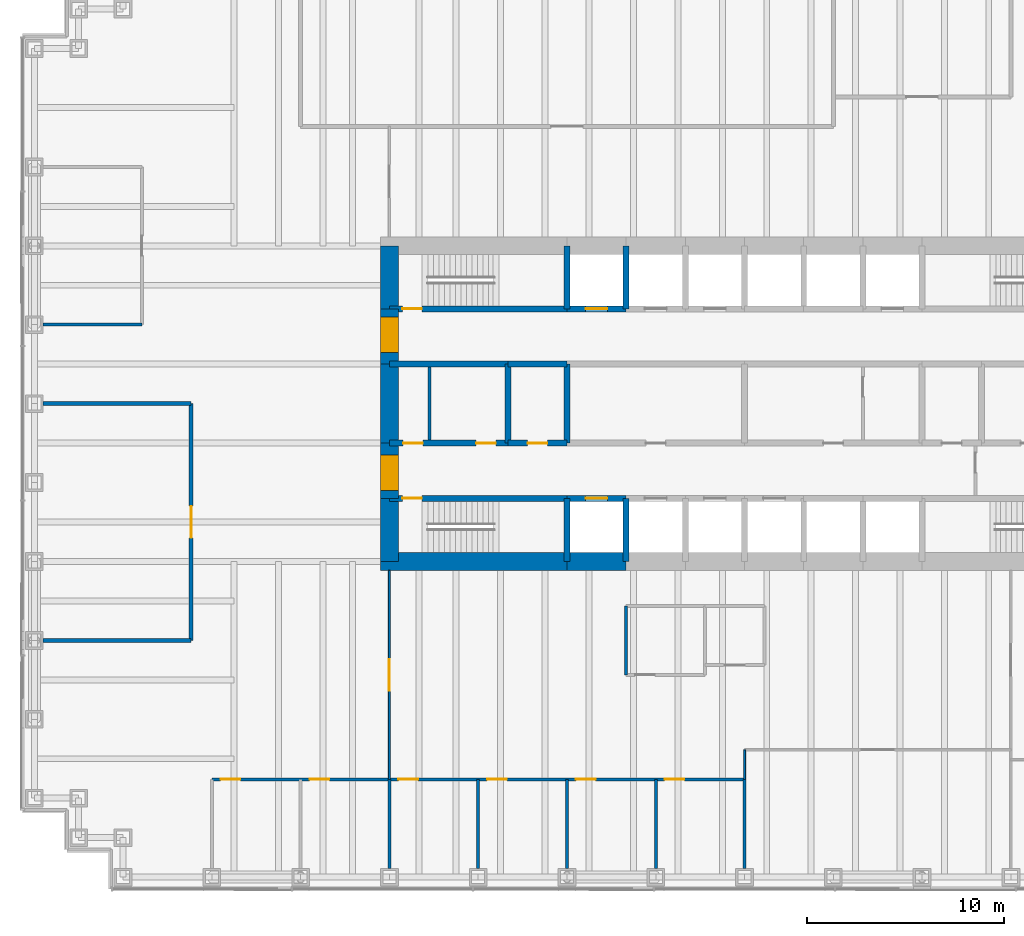
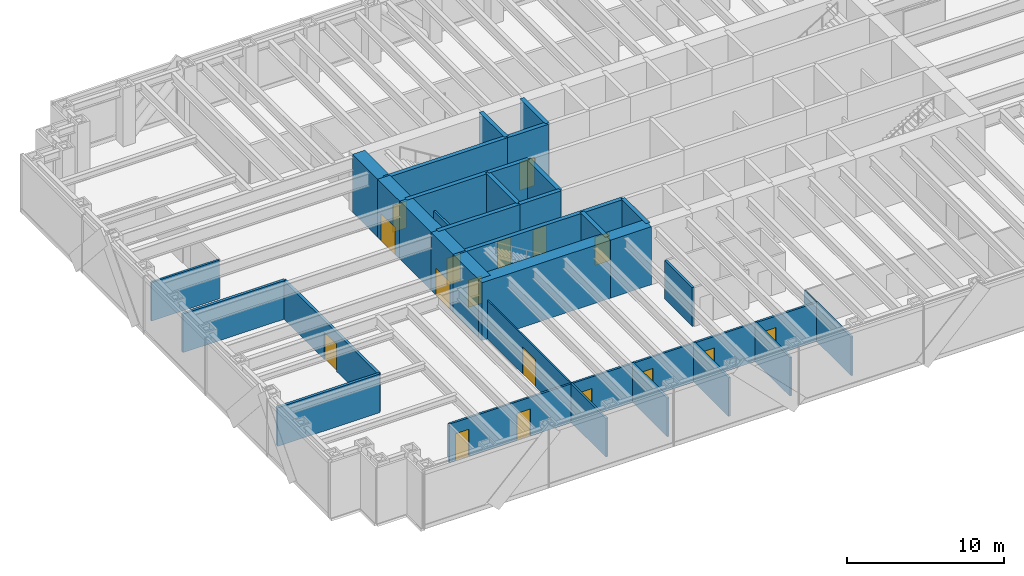
# One storey, part 9 of 13: 35 walls, 17 doors, 17 openings.
"""IFC4 building model written with IfcOpenShell, lengths in metres."""

from ifc_helpers import new_model, si_unit, direction, frame, frame_2d, origin, place, context, subcontext, project, spatial, rectangle, extrude, material, layer, layer_set, type_object, element, fill, save


model = new_model("IFC4")

# Units and contexts
model_context = context("Model", 3, precision=1e-05, world=origin(), true_north=direction((0.0, 1.0)))
body_context = subcontext(model_context, "Body", "Model", "MODEL_VIEW")
ifc_project = project(units=[si_unit("LENGTHUNIT", "METRE"), si_unit("AREAUNIT", "SQUARE_METRE"), si_unit("VOLUMEUNIT", "CUBIC_METRE"), si_unit("PLANEANGLEUNIT", "RADIAN"), si_unit("MASSUNIT", "GRAM", prefix="KILO")], contexts=[model_context])

# Site, building, storey
site_placement = place(None, origin())
site = spatial("IfcSite", under=ifc_project, at=site_placement, CompositionType="ELEMENT")
building_placement = place(site_placement, origin())
building = spatial("IfcBuilding", under=site, at=building_placement, Name="Rheinbord Bourse Tower", CompositionType="ELEMENT")
storey_placement = place(building_placement, frame((0.0, 0.0, 68.0)))
storey = spatial("IfcBuildingStorey", under=building, at=storey_placement, Name="L14", CompositionType="ELEMENT", Elevation=68.0)

# Walls
ifc_material_1 = material(Name="Acoustic gypsum board partition", Category="gypsum board")
ifc_layer_1 = layer(ifc_material_1, 0.199951171875)
ifc_layer_set_1 = layer_set([ifc_layer_1], Name="ACOUSTIC PARTITION 200")
wall_type_1 = type_object("IfcWallType", Name="ACOUSTIC PARTITION 200", PredefinedType="PARTITIONING", material=ifc_layer_set_1)
for number, where, z_axis, x_axis, name in (
    (1, (0.449951171875, 12.0, 0.0), (0.0, 0.0, 1.0), (1.0, 0.0, 0.0), "Partition L14-07"),
    (2, (0.449951171875, 24.0, 0.0), (0.0, 0.0, 1.0), (1.0, 0.0, 0.0), "Partition L14-12"),
):
    element("IfcWall", number, at=place(storey_placement, frame(where, z_axis=z_axis, x_axis=x_axis)), inside=storey, type_object=wall_type_1, Name=name, PredefinedType="PARTITIONING", context=body_context, shape_type="SweptSolid", body=[
        extrude(rectangle(XDim=7.5, YDim=0.199951171875, at=frame_2d((3.75, 0.0))), origin(), (0.0, 0.0, 1.0), 3.0),
    ])

# Wall, opening, door
wall_1_placement = place(storey_placement, frame((7.949951171875, 12.0, 0.0), z_axis=(0.0, 0.0, 1.0), x_axis=(0.0, 1.0, 0.0)))
wall_1 = element("IfcWall", 3, at=wall_1_placement, inside=storey, type_object=wall_type_1, Name="Partition L14-21", PredefinedType="PARTITIONING", context=body_context, shape_type="SweptSolid", body=[
    extrude(rectangle(XDim=12.0, YDim=0.199951171875, at=frame_2d((6.0, 0.0))), origin(), (0.0, 0.0, 1.0), 3.0),
])
opening_1_placement = place(wall_1_placement, frame((5.199951171875, 0.0, 0.0)))
opening_1 = element("IfcOpeningElement", 4, at=opening_1_placement, cuts=wall_1, Name="Opening 14D12", PredefinedType="OPENING", context=body_context, shape_type="SweptSolid", body=[
    extrude(rectangle(XDim=1.60009765625, YDim=2.10009765625, at=frame_2d((0.800048828125, 1.050048828125))), frame((0.0, 0.10986328125, 0.0), z_axis=(0.0, -1.0, 0.0), x_axis=(1.0, 0.0, 0.0)), (0.0, 0.0, 1.0), 0.219970703125),
])
ifc_material_2 = material(Name="Timber door", Category="wood")
door_type_1 = type_object("IfcDoorType", Name="DOUBLE ROOM DOOR 1600", OperationType="DOUBLE_DOOR_DOUBLE_SWING", PredefinedType="DOOR", material=ifc_material_2)
door_1_placement = place(opening_1_placement, origin())
door_1 = element("IfcDoor", 5, at=door_1_placement, inside=storey, type_object=door_type_1, Name="Settlement control room door L14", OperationType="SINGLE_SWING_LEFT", OverallHeight=2.10009765625, OverallWidth=1.60009765625, PredefinedType="DOOR", context=body_context, shape_type="SweptSolid", body=[
    extrude(rectangle(XDim=1.60009765625, YDim=2.10009765625, at=frame_2d((0.800048828125, 1.050048828125))), frame((0.0, 0.02490234375, 0.0), z_axis=(0.0, -1.0, 0.0), x_axis=(1.0, 0.0, 0.0)), (0.0, 0.0, 1.0), 0.050048828125),
])
fill(opening_1, door_1)

ifc_material_3 = material(Name="Concrete C50/60", Category="concrete")
ifc_layer_2 = layer(ifc_material_3, 0.300048828125)
ifc_layer_set_2 = layer_set([ifc_layer_2], Name="CORE INNER WALL 300")
wall_type_2 = type_object("IfcWallType", Name="CORE INNER WALL 300", PredefinedType="SOLIDWALL", material=ifc_layer_set_2)
wall_2_placement = place(storey_placement, frame((18.0, 19.199951171875, 0.0), z_axis=(0.0, 0.0, 1.0), x_axis=(1.0, 0.0, 0.0)))
wall_2 = element("IfcWall", 6, at=wall_2_placement, inside=storey, type_object=wall_type_2, Name="Core wall A1 L14", PredefinedType="SOLIDWALL", context=body_context, shape_type="SweptSolid", body=[
    extrude(rectangle(XDim=9.0, YDim=0.300048828125, at=frame_2d((4.5, 0.0))), origin(), (0.0, 0.0, 1.0), 4.5),
])
opening_2_placement = place(wall_2_placement, frame((0.64990234375, 0.0, 0.0)))
opening_2 = element("IfcOpeningElement", 7, at=opening_2_placement, cuts=wall_2, Name="Opening 1410", PredefinedType="OPENING", context=body_context, shape_type="SweptSolid", body=[
    extrude(rectangle(XDim=1.0, YDim=2.10009765625, at=frame_2d((0.5, 1.050048828125))), frame((0.0, 0.159912109375, 0.0), z_axis=(0.0, -1.0, 0.0), x_axis=(1.0, 0.0, 0.0)), (0.0, 0.0, 1.0), 0.320068359375),
])
ifc_material_4 = material(Name="Steel door", Category="steel")
door_type_2 = type_object("IfcDoorType", Name="DOOR 1000 EI30", OperationType="SINGLE_SWING_LEFT", PredefinedType="DOOR", material=ifc_material_4)
door_2_placement = place(opening_2_placement, origin())
door_2 = element("IfcDoor", 8, at=door_2_placement, inside=storey, type_object=door_type_2, Name="Stair door ST1 L14", OperationType="SINGLE_SWING_LEFT", OverallHeight=2.10009765625, OverallWidth=1.0, PredefinedType="DOOR", context=body_context, shape_type="SweptSolid", body=[
    extrude(rectangle(XDim=1.0, YDim=2.10009765625, at=frame_2d((0.5, 1.050048828125))), frame((0.0, 0.02490234375, 0.0), z_axis=(0.0, -1.0, 0.0), x_axis=(1.0, 0.0, 0.0)), (0.0, 0.0, 1.0), 0.050048828125),
])
fill(opening_2, door_2)

wall_3_placement = place(storey_placement, frame((27.0, 19.199951171875, 0.0), z_axis=(0.0, 0.0, 1.0), x_axis=(1.0, 0.0, 0.0)))
wall_3 = element("IfcWall", 9, at=wall_3_placement, inside=storey, type_object=wall_type_2, Name="Core wall A2 L14", PredefinedType="SOLIDWALL", context=body_context, shape_type="SweptSolid", body=[
    extrude(rectangle(XDim=3.0, YDim=0.300048828125, at=frame_2d((1.5, 0.0))), origin(), (0.0, 0.0, 1.0), 4.5),
])
opening_3_placement = place(wall_3_placement, frame((0.949951171875, 0.0, 0.0)))
opening_3 = element("IfcOpeningElement", 10, at=opening_3_placement, cuts=wall_3, Name="Opening FL1", PredefinedType="OPENING", context=body_context, shape_type="SweptSolid", body=[
    extrude(rectangle(XDim=1.10009765625, YDim=2.199951171875, at=frame_2d((0.550048828125, 1.10009765625))), frame((0.0, 0.159912109375, 0.0), z_axis=(0.0, -1.0, 0.0), x_axis=(1.0, 0.0, 0.0)), (0.0, 0.0, 1.0), 0.320068359375),
])
ifc_material_5 = material(Name="Steel landing door", Category="steel")
door_type_3 = type_object("IfcDoorType", Name="LIFT LANDING DOOR 1100", OperationType="DOUBLE_DOOR_SLIDING", PredefinedType="USERDEFINED", material=ifc_material_5)
door_3_placement = place(opening_3_placement, origin())
door_3 = element("IfcDoor", 11, at=door_3_placement, inside=storey, type_object=door_type_3, Name="Lift landing door FL1 L14", ObjectType="LIFT LANDING DOOR", OperationType="DOUBLE_DOOR_SLIDING", OverallHeight=2.199951171875, OverallWidth=1.10009765625, PredefinedType="USERDEFINED", context=body_context, shape_type="SweptSolid", body=[
    extrude(rectangle(XDim=1.10009765625, YDim=2.199951171875, at=frame_2d((0.550048828125, 1.10009765625))), frame((0.0, 0.02490234375, 0.0), z_axis=(0.0, -1.0, 0.0), x_axis=(1.0, 0.0, 0.0)), (0.0, 0.0, 1.0), 0.050048828125),
])
fill(opening_3, door_3)

wall_4_placement = place(storey_placement, frame((18.0, 28.800048828125, 0.0), z_axis=(0.0, 0.0, 1.0), x_axis=(1.0, 0.0, 0.0)))
wall_4 = element("IfcWall", 12, at=wall_4_placement, inside=storey, type_object=wall_type_2, Name="Core wall B1 L14", PredefinedType="SOLIDWALL", context=body_context, shape_type="SweptSolid", body=[
    extrude(rectangle(XDim=9.0, YDim=0.300048828125, at=frame_2d((4.5, 0.0))), origin(), (0.0, 0.0, 1.0), 4.5),
])
opening_4_placement = place(wall_4_placement, frame((0.64990234375, 0.0, 0.0)))
opening_4 = element("IfcOpeningElement", 13, at=opening_4_placement, cuts=wall_4, Name="Opening 1420", PredefinedType="OPENING", context=body_context, shape_type="SweptSolid", body=[
    extrude(rectangle(XDim=1.0, YDim=2.10009765625, at=frame_2d((0.5, 1.050048828125))), frame((0.0, 0.159912109375, 0.0), z_axis=(0.0, -1.0, 0.0), x_axis=(1.0, 0.0, 0.0)), (0.0, 0.0, 1.0), 0.320068359375),
])
door_4_placement = place(opening_4_placement, origin())
door_4 = element("IfcDoor", 14, at=door_4_placement, inside=storey, type_object=door_type_2, Name="Stair door ST2 L14", OperationType="SINGLE_SWING_LEFT", OverallHeight=2.10009765625, OverallWidth=1.0, PredefinedType="DOOR", context=body_context, shape_type="SweptSolid", body=[
    extrude(rectangle(XDim=1.0, YDim=2.10009765625, at=frame_2d((0.5, 1.050048828125))), frame((0.0, 0.02490234375, 0.0), z_axis=(0.0, -1.0, 0.0), x_axis=(1.0, 0.0, 0.0)), (0.0, 0.0, 1.0), 0.050048828125),
])
fill(opening_4, door_4)

wall_5_placement = place(storey_placement, frame((27.0, 28.800048828125, 0.0), z_axis=(0.0, 0.0, 1.0), x_axis=(1.0, 0.0, 0.0)))
wall_5 = element("IfcWall", 15, at=wall_5_placement, inside=storey, type_object=wall_type_2, Name="Core wall B2 L14", PredefinedType="SOLIDWALL", context=body_context, shape_type="SweptSolid", body=[
    extrude(rectangle(XDim=3.0, YDim=0.300048828125, at=frame_2d((1.5, 0.0))), origin(), (0.0, 0.0, 1.0), 4.5),
])
opening_5_placement = place(wall_5_placement, frame((0.949951171875, 0.0, 0.0)))
opening_5 = element("IfcOpeningElement", 16, at=opening_5_placement, cuts=wall_5, Name="Opening GL1", PredefinedType="OPENING", context=body_context, shape_type="SweptSolid", body=[
    extrude(rectangle(XDim=1.10009765625, YDim=2.199951171875, at=frame_2d((0.550048828125, 1.10009765625))), frame((0.0, 0.159912109375, 0.0), z_axis=(0.0, -1.0, 0.0), x_axis=(1.0, 0.0, 0.0)), (0.0, 0.0, 1.0), 0.320068359375),
])
door_5_placement = place(opening_5_placement, origin())
door_5 = element("IfcDoor", 17, at=door_5_placement, inside=storey, type_object=door_type_3, Name="Lift landing door GL1 L14", ObjectType="LIFT LANDING DOOR", OperationType="DOUBLE_DOOR_SLIDING", OverallHeight=2.199951171875, OverallWidth=1.10009765625, PredefinedType="USERDEFINED", context=body_context, shape_type="SweptSolid", body=[
    extrude(rectangle(XDim=1.10009765625, YDim=2.199951171875, at=frame_2d((0.550048828125, 1.10009765625))), frame((0.0, 0.02490234375, 0.0), z_axis=(0.0, -1.0, 0.0), x_axis=(1.0, 0.0, 0.0)), (0.0, 0.0, 1.0), 0.050048828125),
])
fill(opening_5, door_5)

# Wall, openings, doors
wall_6_placement = place(storey_placement, frame((18.0, 22.0, 0.0), z_axis=(0.0, 0.0, 1.0), x_axis=(1.0, 0.0, 0.0)))
wall_6 = element("IfcWall", 18, at=wall_6_placement, inside=storey, type_object=wall_type_2, Name="Core wall C1 L14", PredefinedType="SOLIDWALL", context=body_context, shape_type="SweptSolid", body=[
    extrude(rectangle(XDim=6.0, YDim=0.300048828125, at=frame_2d((3.0, 0.0))), origin(), (0.0, 0.0, 1.0), 4.5),
])
opening_6_placement = place(wall_6_placement, frame((4.39990234375, 0.0, 0.0)))
opening_6 = element("IfcOpeningElement", 19, at=opening_6_placement, cuts=wall_6, Name="Opening 14R1", PredefinedType="OPENING", context=body_context, shape_type="SweptSolid", body=[
    extrude(rectangle(XDim=1.0, YDim=2.10009765625, at=frame_2d((0.5, 1.050048828125))), frame((0.0, 0.159912109375, 0.0), z_axis=(0.0, -1.0, 0.0), x_axis=(1.0, 0.0, 0.0)), (0.0, 0.0, 1.0), 0.320068359375),
])
opening_7_placement = place(wall_6_placement, frame((0.699951171875, 0.0, 0.0)))
opening_7 = element("IfcOpeningElement", 20, at=opening_7_placement, cuts=wall_6, Name="Opening 14R9", PredefinedType="OPENING", context=body_context, shape_type="SweptSolid", body=[
    extrude(rectangle(XDim=1.0, YDim=2.10009765625, at=frame_2d((0.5, 1.050048828125))), frame((0.0, 0.159912109375, 0.0), z_axis=(0.0, -1.0, 0.0), x_axis=(1.0, 0.0, 0.0)), (0.0, 0.0, 1.0), 0.320068359375),
])
door_6_placement = place(opening_7_placement, origin())
door_6 = element("IfcDoor", 21, at=door_6_placement, inside=storey, type_object=door_type_2, Name="Staff shower door L14", OperationType="SINGLE_SWING_LEFT", OverallHeight=2.10009765625, OverallWidth=1.0, PredefinedType="DOOR", context=body_context, shape_type="SweptSolid", body=[
    extrude(rectangle(XDim=1.0, YDim=2.10009765625, at=frame_2d((0.5, 1.050048828125))), frame((0.0, 0.02490234375, 0.0), z_axis=(0.0, -1.0, 0.0), x_axis=(1.0, 0.0, 0.0)), (0.0, 0.0, 1.0), 0.050048828125),
])
fill(opening_7, door_6)
ifc_material_6 = material(Name="Timber door", Category="wood")
door_type_4 = type_object("IfcDoorType", Name="DOOR 1000 WC", OperationType="SINGLE_SWING_LEFT", PredefinedType="DOOR", material=ifc_material_6)
door_7_placement = place(opening_6_placement, origin())
door_7 = element("IfcDoor", 22, at=door_7_placement, inside=storey, type_object=door_type_4, Name="WC men door L14", OperationType="SINGLE_SWING_RIGHT", OverallHeight=2.10009765625, OverallWidth=1.0, PredefinedType="DOOR", context=body_context, shape_type="SweptSolid", body=[
    extrude(rectangle(XDim=1.0, YDim=2.10009765625, at=frame_2d((0.5, 1.050048828125))), frame((0.0, 0.02490234375, 0.0), z_axis=(0.0, -1.0, 0.0), x_axis=(1.0, 0.0, 0.0)), (0.0, 0.0, 1.0), 0.050048828125),
])
fill(opening_6, door_7)

# Wall, opening, door
wall_7_placement = place(storey_placement, frame((24.0, 22.0, 0.0), z_axis=(0.0, 0.0, 1.0), x_axis=(1.0, 0.0, 0.0)))
wall_7 = element("IfcWall", 23, at=wall_7_placement, inside=storey, type_object=wall_type_2, Name="Core wall C2 L14", PredefinedType="SOLIDWALL", context=body_context, shape_type="SweptSolid", body=[
    extrude(rectangle(XDim=3.0, YDim=0.300048828125, at=frame_2d((1.5, 0.0))), origin(), (0.0, 0.0, 1.0), 4.5),
])
opening_8_placement = place(wall_7_placement, frame((1.0, 0.0, 0.0)))
opening_8 = element("IfcOpeningElement", 24, at=opening_8_placement, cuts=wall_7, Name="Opening 14R2", PredefinedType="OPENING", context=body_context, shape_type="SweptSolid", body=[
    extrude(rectangle(XDim=1.0, YDim=2.10009765625, at=frame_2d((0.5, 1.050048828125))), frame((0.0, 0.159912109375, 0.0), z_axis=(0.0, -1.0, 0.0), x_axis=(1.0, 0.0, 0.0)), (0.0, 0.0, 1.0), 0.320068359375),
])
door_8_placement = place(opening_8_placement, origin())
door_8 = element("IfcDoor", 25, at=door_8_placement, inside=storey, type_object=door_type_4, Name="Accessible WC door L14", OperationType="SINGLE_SWING_LEFT", OverallHeight=2.10009765625, OverallWidth=1.0, PredefinedType="DOOR", context=body_context, shape_type="SweptSolid", body=[
    extrude(rectangle(XDim=1.0, YDim=2.10009765625, at=frame_2d((0.5, 1.050048828125))), frame((0.0, 0.02490234375, 0.0), z_axis=(0.0, -1.0, 0.0), x_axis=(1.0, 0.0, 0.0)), (0.0, 0.0, 1.0), 0.050048828125),
])
fill(opening_8, door_8)

# Walls
wall_8_placement = place(storey_placement, frame((18.0, 26.0, 0.0), z_axis=(0.0, 0.0, 1.0), x_axis=(1.0, 0.0, 0.0)))
element("IfcWall", 26, at=wall_8_placement, inside=storey, type_object=wall_type_2, Name="Core wall D1 L14", PredefinedType="SOLIDWALL", context=body_context, shape_type="SweptSolid", body=[
    extrude(rectangle(XDim=6.0, YDim=0.300048828125, at=frame_2d((3.0, 0.0))), origin(), (0.0, 0.0, 1.0), 4.5),
])
wall_9_placement = place(storey_placement, frame((24.0, 26.0, 0.0), z_axis=(0.0, 0.0, 1.0), x_axis=(1.0, 0.0, 0.0)))
element("IfcWall", 27, at=wall_9_placement, inside=storey, type_object=wall_type_2, Name="Core wall D2 L14", PredefinedType="SOLIDWALL", context=body_context, shape_type="SweptSolid", body=[
    extrude(rectangle(XDim=3.0, YDim=0.300048828125, at=frame_2d((1.5, 0.0))), origin(), (0.0, 0.0, 1.0), 4.5),
])
for number, where, z_axis, x_axis, name in (
    (28, (27.0, 16.0, 0.0), (0.0, 0.0, 1.0), (0.0, 1.0, 0.0), "Core wall SX27 L14"),
    (29, (27.0, 28.800048828125, 0.0), (0.0, 0.0, 1.0), (0.0, 1.0, 0.0), "Core wall NX27 L14"),
    (30, (30.0, 16.0, 0.0), (0.0, 0.0, 1.0), (0.0, 1.0, 0.0), "Core wall SX30 L14"),
    (31, (30.0, 28.800048828125, 0.0), (0.0, 0.0, 1.0), (0.0, 1.0, 0.0), "Core wall NX30 L14"),
):
    element("IfcWall", number, at=place(storey_placement, frame(where, z_axis=z_axis, x_axis=x_axis)), inside=storey, type_object=wall_type_2, Name=name, PredefinedType="SOLIDWALL", context=body_context, shape_type="SweptSolid", body=[
        extrude(rectangle(XDim=3.199951171875, YDim=0.300048828125, at=frame_2d((1.60009765625, 0.0))), origin(), (0.0, 0.0, 1.0), 4.5),
    ])
for number, where, z_axis, x_axis, name in (
    (32, (24.0, 22.0, 0.0), (0.0, 0.0, 1.0), (0.0, 1.0, 0.0), "Core wall MX24 L14"),
    (33, (27.0, 22.0, 0.0), (0.0, 0.0, 1.0), (0.0, 1.0, 0.0), "Core wall MX27 L14"),
):
    element("IfcWall", number, at=place(storey_placement, frame(where, z_axis=z_axis, x_axis=x_axis)), inside=storey, type_object=wall_type_2, Name=name, PredefinedType="SOLIDWALL", context=body_context, shape_type="SweptSolid", body=[
        extrude(rectangle(XDim=4.0, YDim=0.300048828125, at=frame_2d((2.0, 0.0))), origin(), (0.0, 0.0, 1.0), 4.5),
    ])
ifc_material_7 = material(Name="Gypsum board fire partition", Category="gypsum board")
ifc_layer_3 = layer(ifc_material_7, 0.14990234375)
ifc_layer_set_3 = layer_set([ifc_layer_3], Name="CORE PARTITION 150 EI30")
wall_type_3 = type_object("IfcWallType", Name="CORE PARTITION 150 EI30", PredefinedType="PARTITIONING", material=ifc_layer_set_3)
wall_10_placement = place(storey_placement, frame((20.02490234375, 22.14990234375, 0.0), z_axis=(0.0, 0.0, 1.0), x_axis=(0.0, 1.0, 0.0)))
element("IfcWall", 34, at=wall_10_placement, inside=storey, type_object=wall_type_3, Name="Core partition L14-2", PredefinedType="PARTITIONING", context=body_context, shape_type="SweptSolid", body=[
    extrude(rectangle(XDim=3.7001953125, YDim=0.14990234375, at=frame_2d((1.85009765625, 0.0))), origin(), (0.0, 0.0, 1.0), 3.0),
])
ifc_material_8 = material(Name="Concrete C50/60", Category="concrete")
ifc_layer_4 = layer(ifc_material_8, 0.89990234375)
ifc_layer_set_4 = layer_set([ifc_layer_4], Name="CORE WALL 900")
wall_type_4 = type_object("IfcWallType", Name="CORE WALL 900", PredefinedType="SHEAR", material=ifc_layer_set_4)
wall_11_placement = place(storey_placement, frame((17.550048828125, 16.0, 0.0), z_axis=(0.0, 0.0, 1.0), x_axis=(1.0, 0.0, 0.0)))
element("IfcWall", 35, at=wall_11_placement, inside=storey, type_object=wall_type_4, Name="Core wall S1 L14", PredefinedType="SHEAR", context=body_context, shape_type="SweptSolid", body=[
    extrude(rectangle(XDim=9.449951171875, YDim=0.89990234375, at=frame_2d((4.72509765625, 0.0))), origin(), (0.0, 0.0, 1.0), 4.5),
])
wall_12_placement = place(storey_placement, frame((27.0, 16.0, 0.0), z_axis=(0.0, 0.0, 1.0), x_axis=(1.0, 0.0, 0.0)))
element("IfcWall", 36, at=wall_12_placement, inside=storey, type_object=wall_type_4, Name="Core wall S2 L14", PredefinedType="SHEAR", context=body_context, shape_type="SweptSolid", body=[
    extrude(rectangle(XDim=3.0, YDim=0.89990234375, at=frame_2d((1.5, 0.0))), origin(), (0.0, 0.0, 1.0), 4.5),
])
wall_13_placement = place(storey_placement, frame((18.0, 32.0, 0.0), z_axis=(0.0, 0.0, 1.0), x_axis=(0.0, -1.0, 0.0)))
element("IfcWall", 37, at=wall_13_placement, inside=storey, type_object=wall_type_4, Name="Core wall W1 L14", PredefinedType="SHEAR", context=body_context, shape_type="SweptSolid", body=[
    extrude(rectangle(XDim=3.199951171875, YDim=0.89990234375, at=frame_2d((1.60009765625, 0.0))), origin(), (0.0, 0.0, 1.0), 4.5),
])

# Wall, opening, door
wall_14_placement = place(storey_placement, frame((18.0, 28.800048828125, 0.0), z_axis=(0.0, 0.0, 1.0), x_axis=(0.0, -1.0, 0.0)))
wall_14 = element("IfcWall", 38, at=wall_14_placement, inside=storey, type_object=wall_type_4, Name="Core wall W2 L14", PredefinedType="SHEAR", context=body_context, shape_type="SweptSolid", body=[
    extrude(rectangle(XDim=2.800048828125, YDim=0.89990234375, at=frame_2d((1.39990234375, 0.0))), origin(), (0.0, 0.0, 1.0), 4.5),
])
opening_9_placement = place(wall_14_placement, frame((0.39990234375, 0.0, 0.0)))
opening_9 = element("IfcOpeningElement", 39, at=opening_9_placement, cuts=wall_14, Name="Opening 14L2", PredefinedType="OPENING", context=body_context, shape_type="SweptSolid", body=[
    extrude(rectangle(XDim=1.800048828125, YDim=2.10009765625, at=frame_2d((0.89990234375, 1.050048828125))), frame((0.0, 0.4599609375, 0.0), z_axis=(0.0, -1.0, 0.0), x_axis=(1.0, 0.0, 0.0)), (0.0, 0.0, 1.0), 0.919921875),
])
ifc_material_9 = material(Name="Steel door", Category="steel")
door_type_5 = type_object("IfcDoorType", Name="DOOR 1800 EI30 DOUBLE", OperationType="DOUBLE_DOOR_DOUBLE_SWING", PredefinedType="DOOR", material=ifc_material_9)
door_9_placement = place(opening_9_placement, origin())
door_9 = element("IfcDoor", 40, at=door_9_placement, inside=storey, type_object=door_type_5, Name="Lobby door 2 L14", OperationType="SINGLE_SWING_LEFT", OverallHeight=2.10009765625, OverallWidth=1.800048828125, PredefinedType="DOOR", context=body_context, shape_type="SweptSolid", body=[
    extrude(rectangle(XDim=1.800048828125, YDim=2.10009765625, at=frame_2d((0.89990234375, 1.050048828125))), frame((0.0, 0.44970703125, 0.0), z_axis=(0.0, -1.0, 0.0), x_axis=(1.0, 0.0, 0.0)), (0.0, 0.0, 1.0), 0.8994140625),
])
fill(opening_9, door_9)

# Wall
wall_15_placement = place(storey_placement, frame((18.0, 26.0, 0.0), z_axis=(0.0, 0.0, 1.0), x_axis=(0.0, -1.0, 0.0)))
element("IfcWall", 41, at=wall_15_placement, inside=storey, type_object=wall_type_4, Name="Core wall W3 L14", PredefinedType="SHEAR", context=body_context, shape_type="SweptSolid", body=[
    extrude(rectangle(XDim=4.0, YDim=0.89990234375, at=frame_2d((2.0, 0.0))), origin(), (0.0, 0.0, 1.0), 4.5),
])

# Wall, opening, door
wall_16_placement = place(storey_placement, frame((18.0, 22.0, 0.0), z_axis=(0.0, 0.0, 1.0), x_axis=(0.0, -1.0, 0.0)))
wall_16 = element("IfcWall", 42, at=wall_16_placement, inside=storey, type_object=wall_type_4, Name="Core wall W4 L14", PredefinedType="SHEAR", context=body_context, shape_type="SweptSolid", body=[
    extrude(rectangle(XDim=2.800048828125, YDim=0.89990234375, at=frame_2d((1.39990234375, 0.0))), origin(), (0.0, 0.0, 1.0), 4.5),
])
opening_10_placement = place(wall_16_placement, frame((0.60009765625, 0.0, 0.0)))
opening_10 = element("IfcOpeningElement", 43, at=opening_10_placement, cuts=wall_16, Name="Opening 14L1", PredefinedType="OPENING", context=body_context, shape_type="SweptSolid", body=[
    extrude(rectangle(XDim=1.800048828125, YDim=2.10009765625, at=frame_2d((0.89990234375, 1.050048828125))), frame((0.0, 0.4599609375, 0.0), z_axis=(0.0, -1.0, 0.0), x_axis=(1.0, 0.0, 0.0)), (0.0, 0.0, 1.0), 0.919921875),
])
door_10_placement = place(opening_10_placement, origin())
door_10 = element("IfcDoor", 44, at=door_10_placement, inside=storey, type_object=door_type_5, Name="Lobby door 1 L14", OperationType="SINGLE_SWING_LEFT", OverallHeight=2.10009765625, OverallWidth=1.800048828125, PredefinedType="DOOR", context=body_context, shape_type="SweptSolid", body=[
    extrude(rectangle(XDim=1.800048828125, YDim=2.10009765625, at=frame_2d((0.89990234375, 1.050048828125))), frame((0.0, 0.44970703125, 0.0), z_axis=(0.0, -1.0, 0.0), x_axis=(1.0, 0.0, 0.0)), (0.0, 0.0, 1.0), 0.8994140625),
])
fill(opening_10, door_10)

# Walls
wall_17_placement = place(storey_placement, frame((18.0, 19.199951171875, 0.0), z_axis=(0.0, 0.0, 1.0), x_axis=(0.0, -1.0, 0.0)))
element("IfcWall", 45, at=wall_17_placement, inside=storey, type_object=wall_type_4, Name="Core wall W5 L14", PredefinedType="SHEAR", context=body_context, shape_type="SweptSolid", body=[
    extrude(rectangle(XDim=3.199951171875, YDim=0.89990234375, at=frame_2d((1.60009765625, 0.0))), origin(), (0.0, 0.0, 1.0), 4.5),
])
ifc_material_10 = material(Name="Gypsum board fire partition", Category="gypsum board")
ifc_layer_5 = layer(ifc_material_10, 0.14990234375)
ifc_layer_set_5 = layer_set([ifc_layer_5], Name="FIRE PARTITION 150 EI60")
wall_type_5 = type_object("IfcWallType", Name="FIRE PARTITION 150 EI60", PredefinedType="PARTITIONING", material=ifc_layer_set_5)
wall_18_placement = place(storey_placement, frame((0.449951171875, 28.0, 0.0), z_axis=(0.0, 0.0, 1.0), x_axis=(1.0, 0.0, 0.0)))
element("IfcWall", 46, at=wall_18_placement, inside=storey, type_object=wall_type_5, Name="Partition L14-13", PredefinedType="PARTITIONING", context=body_context, shape_type="SweptSolid", body=[
    extrude(rectangle(XDim=5.0, YDim=0.14990234375, at=frame_2d((2.5, 0.0))), origin(), (0.0, 0.0, 1.0), 3.0),
])
wall_19_placement = place(storey_placement, frame((30.0, 10.25, 0.0), z_axis=(0.0, 0.0, 1.0), x_axis=(0.0, 1.0, 0.0)))
element("IfcWall", 47, at=wall_19_placement, inside=storey, type_object=wall_type_5, Name="Partition L14-30", PredefinedType="PARTITIONING", context=body_context, shape_type="SweptSolid", body=[
    extrude(rectangle(XDim=3.5, YDim=0.14990234375, at=frame_2d((1.75, 0.0))), origin(), (0.0, 0.0, 1.0), 3.0),
])

# Wall, opening, door
ifc_material_11 = material(Name="Toughened laminated glass partition", Category="glass")
ifc_layer_6 = layer(ifc_material_11, 0.10009765625)
ifc_layer_set_6 = layer_set([ifc_layer_6], Name="GLAZED PARTITION 100")
wall_type_6 = type_object("IfcWallType", Name="GLAZED PARTITION 100", PredefinedType="PARTITIONING", material=ifc_layer_set_6)
wall_20_placement = place(storey_placement, frame((18.0, 4.949951171875, 0.0), z_axis=(0.0, 0.0, 1.0), x_axis=(0.0, 1.0, 0.0)))
wall_20 = element("IfcWall", 48, at=wall_20_placement, inside=storey, type_object=wall_type_6, Name="Partition L14-26", PredefinedType="PARTITIONING", context=body_context, shape_type="SweptSolid", body=[
    extrude(rectangle(XDim=10.60009765625, YDim=0.10009765625, at=frame_2d((5.300048828125, 0.0))), origin(), (0.0, 0.0, 1.0), 3.0),
])
opening_11_placement = place(wall_20_placement, frame((4.5, 0.0, 0.0)))
opening_11 = element("IfcOpeningElement", 49, at=opening_11_placement, cuts=wall_20, Name="Opening 14D18", PredefinedType="OPENING", context=body_context, shape_type="SweptSolid", body=[
    extrude(rectangle(XDim=1.60009765625, YDim=2.10009765625, at=frame_2d((0.800048828125, 1.050048828125))), frame((0.0, 0.06005859375, 0.0), z_axis=(0.0, -1.0, 0.0), x_axis=(1.0, 0.0, 0.0)), (0.0, 0.0, 1.0), 0.1201171875),
])
door_11_placement = place(opening_11_placement, origin())
door_11 = element("IfcDoor", 50, at=door_11_placement, inside=storey, type_object=door_type_1, Name="Open area door L14", OperationType="SINGLE_SWING_LEFT", OverallHeight=2.10009765625, OverallWidth=1.60009765625, PredefinedType="DOOR", context=body_context, shape_type="SweptSolid", body=[
    extrude(rectangle(XDim=1.60009765625, YDim=2.10009765625, at=frame_2d((0.800048828125, 1.050048828125))), frame((0.0, 0.02490234375, 0.0), z_axis=(0.0, -1.0, 0.0), x_axis=(1.0, 0.0, 0.0)), (0.0, 0.0, 1.0), 0.050048828125),
])
fill(opening_11, door_11)

# Wall
wall_21_placement = place(storey_placement, frame((36.0, 4.949951171875, 0.0), z_axis=(0.0, 0.0, 1.0), x_axis=(0.0, 1.0, 0.0)))
element("IfcWall", 51, at=wall_21_placement, inside=storey, type_object=wall_type_6, Name="Partition L14-34", PredefinedType="PARTITIONING", context=body_context, shape_type="SweptSolid", body=[
    extrude(rectangle(XDim=1.5, YDim=0.10009765625, at=frame_2d((0.75, 0.0))), origin(), (0.0, 0.0, 1.0), 3.0),
])

# Wall, openings, doors
ifc_material_12 = material(Name="Gypsum board partition", Category="gypsum board")
ifc_layer_7 = layer(ifc_material_12, 0.14990234375)
ifc_layer_set_7 = layer_set([ifc_layer_7], Name="PARTITION 150")
wall_type_7 = type_object("IfcWallType", Name="PARTITION 150", PredefinedType="PARTITIONING", material=ifc_layer_set_7)
wall_22_placement = place(storey_placement, frame((9.0, 4.949951171875, 0.0), z_axis=(0.0, 0.0, 1.0), x_axis=(1.0, 0.0, 0.0)))
wall_22 = element("IfcWall", 52, at=wall_22_placement, inside=storey, type_object=wall_type_7, Name="Partition L14-01", PredefinedType="PARTITIONING", context=body_context, shape_type="SweptSolid", body=[
    extrude(rectangle(XDim=27.0, YDim=0.14990234375, at=frame_2d((13.5, 0.0))), origin(), (0.0, 0.0, 1.0), 3.0),
])
opening_12_placement = place(wall_22_placement, frame((0.449951171875, 0.0, 0.0)))
opening_12 = element("IfcOpeningElement", 53, at=opening_12_placement, cuts=wall_22, Name="Opening 14D01", PredefinedType="OPENING", context=body_context, shape_type="SweptSolid", body=[
    extrude(rectangle(XDim=1.0, YDim=2.10009765625, at=frame_2d((0.5, 1.050048828125))), frame((0.0, 0.0849609375, 0.0), z_axis=(0.0, -1.0, 0.0), x_axis=(1.0, 0.0, 0.0)), (0.0, 0.0, 1.0), 0.169921875),
])
opening_13_placement = place(wall_22_placement, frame((4.949951171875, 0.0, 0.0)))
opening_13 = element("IfcOpeningElement", 54, at=opening_13_placement, cuts=wall_22, Name="Opening 14D02", PredefinedType="OPENING", context=body_context, shape_type="SweptSolid", body=[
    extrude(rectangle(XDim=1.0, YDim=2.10009765625, at=frame_2d((0.5, 1.050048828125))), frame((0.0, 0.0849609375, 0.0), z_axis=(0.0, -1.0, 0.0), x_axis=(1.0, 0.0, 0.0)), (0.0, 0.0, 1.0), 0.169921875),
])
opening_14_placement = place(wall_22_placement, frame((9.449951171875, 0.0, 0.0)))
opening_14 = element("IfcOpeningElement", 55, at=opening_14_placement, cuts=wall_22, Name="Opening 14D03", PredefinedType="OPENING", context=body_context, shape_type="SweptSolid", body=[
    extrude(rectangle(XDim=1.0, YDim=2.10009765625, at=frame_2d((0.5, 1.050048828125))), frame((0.0, 0.0849609375, 0.0), z_axis=(0.0, -1.0, 0.0), x_axis=(1.0, 0.0, 0.0)), (0.0, 0.0, 1.0), 0.169921875),
])
opening_15_placement = place(wall_22_placement, frame((13.949951171875, 0.0, 0.0)))
opening_15 = element("IfcOpeningElement", 56, at=opening_15_placement, cuts=wall_22, Name="Opening 14D04", PredefinedType="OPENING", context=body_context, shape_type="SweptSolid", body=[
    extrude(rectangle(XDim=1.0, YDim=2.10009765625, at=frame_2d((0.5, 1.050048828125))), frame((0.0, 0.0849609375, 0.0), z_axis=(0.0, -1.0, 0.0), x_axis=(1.0, 0.0, 0.0)), (0.0, 0.0, 1.0), 0.169921875),
])
opening_16_placement = place(wall_22_placement, frame((18.449951171875, 0.0, 0.0)))
opening_16 = element("IfcOpeningElement", 57, at=opening_16_placement, cuts=wall_22, Name="Opening 14D05", PredefinedType="OPENING", context=body_context, shape_type="SweptSolid", body=[
    extrude(rectangle(XDim=1.0, YDim=2.10009765625, at=frame_2d((0.5, 1.050048828125))), frame((0.0, 0.0849609375, 0.0), z_axis=(0.0, -1.0, 0.0), x_axis=(1.0, 0.0, 0.0)), (0.0, 0.0, 1.0), 0.169921875),
])
opening_17_placement = place(wall_22_placement, frame((22.949951171875, 0.0, 0.0)))
opening_17 = element("IfcOpeningElement", 58, at=opening_17_placement, cuts=wall_22, Name="Opening 14D06", PredefinedType="OPENING", context=body_context, shape_type="SweptSolid", body=[
    extrude(rectangle(XDim=1.0, YDim=2.10009765625, at=frame_2d((0.5, 1.050048828125))), frame((0.0, 0.0849609375, 0.0), z_axis=(0.0, -1.0, 0.0), x_axis=(1.0, 0.0, 0.0)), (0.0, 0.0, 1.0), 0.169921875),
])
ifc_material_13 = material(Name="Timber door", Category="wood")
door_type_6 = type_object("IfcDoorType", Name="ROOM DOOR 1000", OperationType="SINGLE_SWING_LEFT", PredefinedType="DOOR", material=ifc_material_13)
door_12_placement = place(opening_12_placement, origin())
door_12 = element("IfcDoor", 59, at=door_12_placement, inside=storey, type_object=door_type_6, Name="Office door L14", OperationType="SINGLE_SWING_LEFT", OverallHeight=2.10009765625, OverallWidth=1.0, PredefinedType="DOOR", context=body_context, shape_type="SweptSolid", body=[
    extrude(rectangle(XDim=1.0, YDim=2.10009765625, at=frame_2d((0.5, 1.050048828125))), frame((0.0, 0.02490234375, 0.0), z_axis=(0.0, -1.0, 0.0), x_axis=(1.0, 0.0, 0.0)), (0.0, 0.0, 1.0), 0.050048828125),
])
fill(opening_12, door_12)
door_13_placement = place(opening_13_placement, origin())
door_13 = element("IfcDoor", 60, at=door_13_placement, inside=storey, type_object=door_type_6, Name="Office door L14", OperationType="SINGLE_SWING_LEFT", OverallHeight=2.10009765625, OverallWidth=1.0, PredefinedType="DOOR", context=body_context, shape_type="SweptSolid", body=[
    extrude(rectangle(XDim=1.0, YDim=2.10009765625, at=frame_2d((0.5, 1.050048828125))), frame((0.0, 0.02490234375, 0.0), z_axis=(0.0, -1.0, 0.0), x_axis=(1.0, 0.0, 0.0)), (0.0, 0.0, 1.0), 0.050048828125),
])
fill(opening_13, door_13)
door_14_placement = place(opening_14_placement, origin())
door_14 = element("IfcDoor", 61, at=door_14_placement, inside=storey, type_object=door_type_6, Name="Office door L14", OperationType="SINGLE_SWING_LEFT", OverallHeight=2.10009765625, OverallWidth=1.0, PredefinedType="DOOR", context=body_context, shape_type="SweptSolid", body=[
    extrude(rectangle(XDim=1.0, YDim=2.10009765625, at=frame_2d((0.5, 1.050048828125))), frame((0.0, 0.02490234375, 0.0), z_axis=(0.0, -1.0, 0.0), x_axis=(1.0, 0.0, 0.0)), (0.0, 0.0, 1.0), 0.050048828125),
])
fill(opening_14, door_14)
door_15_placement = place(opening_15_placement, origin())
door_15 = element("IfcDoor", 62, at=door_15_placement, inside=storey, type_object=door_type_6, Name="Office door L14", OperationType="SINGLE_SWING_RIGHT", OverallHeight=2.10009765625, OverallWidth=1.0, PredefinedType="DOOR", context=body_context, shape_type="SweptSolid", body=[
    extrude(rectangle(XDim=1.0, YDim=2.10009765625, at=frame_2d((0.5, 1.050048828125))), frame((0.0, 0.02490234375, 0.0), z_axis=(0.0, -1.0, 0.0), x_axis=(1.0, 0.0, 0.0)), (0.0, 0.0, 1.0), 0.050048828125),
])
fill(opening_15, door_15)
door_16_placement = place(opening_16_placement, origin())
door_16 = element("IfcDoor", 63, at=door_16_placement, inside=storey, type_object=door_type_6, Name="Office door L14", OperationType="SINGLE_SWING_RIGHT", OverallHeight=2.10009765625, OverallWidth=1.0, PredefinedType="DOOR", context=body_context, shape_type="SweptSolid", body=[
    extrude(rectangle(XDim=1.0, YDim=2.10009765625, at=frame_2d((0.5, 1.050048828125))), frame((0.0, 0.02490234375, 0.0), z_axis=(0.0, -1.0, 0.0), x_axis=(1.0, 0.0, 0.0)), (0.0, 0.0, 1.0), 0.050048828125),
])
fill(opening_16, door_16)
door_17_placement = place(opening_17_placement, origin())
door_17 = element("IfcDoor", 64, at=door_17_placement, inside=storey, type_object=door_type_6, Name="Office door L14", OperationType="SINGLE_SWING_RIGHT", OverallHeight=2.10009765625, OverallWidth=1.0, PredefinedType="DOOR", context=body_context, shape_type="SweptSolid", body=[
    extrude(rectangle(XDim=1.0, YDim=2.10009765625, at=frame_2d((0.5, 1.050048828125))), frame((0.0, 0.02490234375, 0.0), z_axis=(0.0, -1.0, 0.0), x_axis=(1.0, 0.0, 0.0)), (0.0, 0.0, 1.0), 0.050048828125),
])
fill(opening_17, door_17)

# Walls
for number, where, z_axis, x_axis, name in (
    (65, (18.0, 0.449951171875, 0.0), (0.0, 0.0, 1.0), (0.0, 1.0, 0.0), "Partition L14-25"),
    (66, (22.5, 0.449951171875, 0.0), (0.0, 0.0, 1.0), (0.0, 1.0, 0.0), "Partition L14-28"),
    (67, (27.0, 0.449951171875, 0.0), (0.0, 0.0, 1.0), (0.0, 1.0, 0.0), "Partition L14-29"),
    (68, (31.5, 0.449951171875, 0.0), (0.0, 0.0, 1.0), (0.0, 1.0, 0.0), "Partition L14-31"),
    (69, (36.0, 0.449951171875, 0.0), (0.0, 0.0, 1.0), (0.0, 1.0, 0.0), "Partition L14-33"),
):
    element("IfcWall", number, at=place(storey_placement, frame(where, z_axis=z_axis, x_axis=x_axis)), inside=storey, type_object=wall_type_7, Name=name, PredefinedType="PARTITIONING", context=body_context, shape_type="SweptSolid", body=[
        extrude(rectangle(XDim=4.5, YDim=0.14990234375, at=frame_2d((2.25, 0.0))), origin(), (0.0, 0.0, 1.0), 3.0),
    ])

save(model, "model.ifc")
